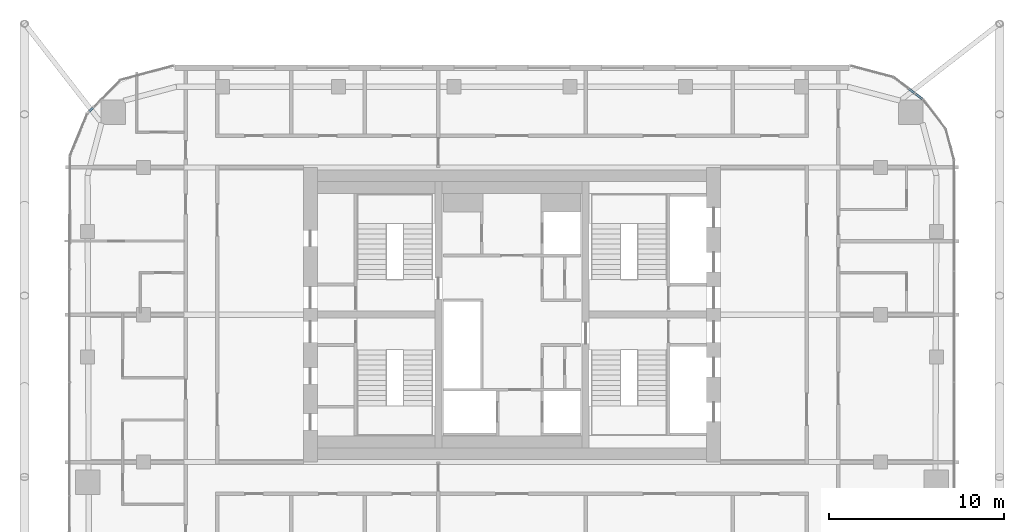
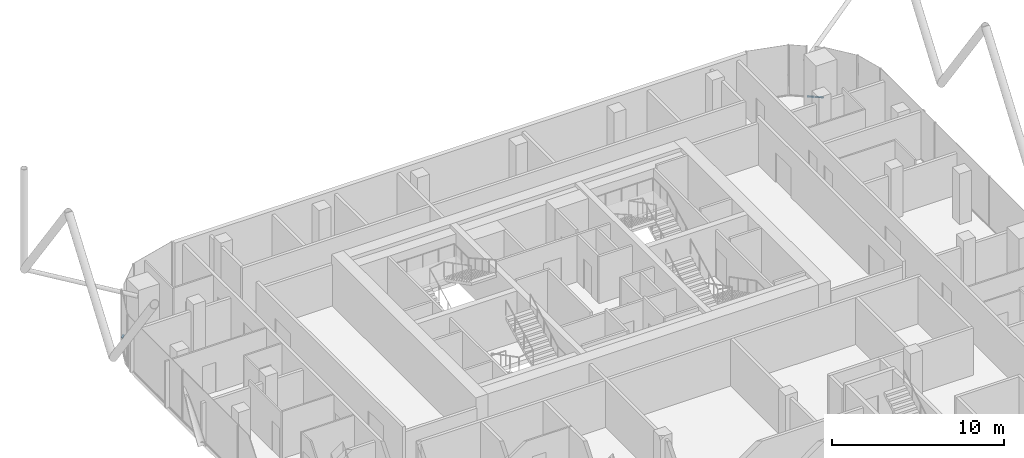
# One storey, part 13 of 28: 3 members, 3 elements without a shape of their own.
"""IFC4 building model written with IfcOpenShell, lengths in metres."""

from ifc_helpers import new_model, si_unit, direction, frame, origin, origin_2d, place, context, subcontext, project, spatial, rectangle, extrude, material, layer, layer_set, material_profile, profile_set, type_object, element, aggregate, save


model = new_model("IFC4")

# Units and contexts
model_context = context("Model", 3, precision=1e-05, world=origin(), true_north=direction((0.0, 1.0)))
body_context = subcontext(model_context, "Body", "Model", "MODEL_VIEW")
ifc_project = project(units=[si_unit("LENGTHUNIT", "METRE"), si_unit("AREAUNIT", "SQUARE_METRE"), si_unit("VOLUMEUNIT", "CUBIC_METRE"), si_unit("PLANEANGLEUNIT", "RADIAN"), si_unit("MASSUNIT", "GRAM", prefix="KILO")], contexts=[model_context])

# Site, building, storey
site_placement = place(None, origin())
site = spatial("IfcSite", under=ifc_project, at=site_placement, CompositionType="ELEMENT")
building_placement = place(site_placement, origin())
building = spatial("IfcBuilding", under=site, at=building_placement, Name="Marenta Gate Hotel Tower", CompositionType="ELEMENT")
storey_placement = place(building_placement, frame((0.0, 0.0, 198.5)))
storey = spatial("IfcBuildingStorey", under=building, at=storey_placement, Name="L45", CompositionType="ELEMENT", Elevation=198.5)

# Curtain wall, member
ifc_material_1 = material(Name="Tinted insulated glass in bronze anodised frame", Category="glass")
ifc_layer = layer(ifc_material_1, 0.1201171875)
ifc_layer_set = layer_set([ifc_layer], Name="Tinted insulated glass in bronze anodised frame")
curtain_wall_type = type_object("IfcCurtainWallType", Name="Tower unitised curtain wall CW1", PredefinedType="NOTDEFINED", material=ifc_layer_set)
curtain_wall_1_placement = place(storey_placement, origin())
curtain_wall_1 = element("IfcCurtainWall", 1, at=curtain_wall_1_placement, inside=storey, type_object=curtain_wall_type, Name="CW1 run G02", PredefinedType="NOTDEFINED")
ifc_material_2 = material(Name="Bronze anodised aluminium", Category="aluminium")
ifc_material_profile = material_profile(ifc_material_2, rectangle(XDim=0.1201171875, YDim=0.06005859375, at=origin_2d()), Name="Transom CW1 60x120 bronze anodised aluminium")
ifc_profile_set = profile_set([ifc_material_profile], Name="Bronze anodised aluminium")
member_type = type_object("IfcMemberType", Name="Transom CW1 60x120 bronze anodised aluminium", PredefinedType="USERDEFINED", material=ifc_profile_set)
member_1_placement = place(storey_placement, frame((-23.884521484375, 20.220458984375, 0.030029296875), z_axis=(-0.707106781187, -0.707106781187, 0.0), x_axis=(0.707106781187, -0.707106781187, 0.0)))
member_1 = element("IfcMember", 2, at=member_1_placement, type_object=member_type, Name="CW1 transom 1.1", ObjectType="TRANSOM", PredefinedType="USERDEFINED", context=body_context, shape_type="SweptSolid", body=[
    extrude(rectangle(XDim=0.1201171875, YDim=0.06005859375, at=origin_2d()), origin(), (0.0, 0.0, 1.0), 0.336669921875),
])
aggregate(curtain_wall_1, [member_1])

curtain_wall_2_placement = place(storey_placement, origin())
curtain_wall_2 = element("IfcCurtainWall", 3, at=curtain_wall_2_placement, inside=storey, type_object=curtain_wall_type, Name="CW1 run G22", PredefinedType="NOTDEFINED")
member_2_placement = place(storey_placement, frame((23.405029296875, 20.689208984375, 0.030029296875), z_axis=(-0.793396206785, 0.608705560233, 0.0), x_axis=(-0.608705560233, -0.793396206785, 0.0)))
member_2 = element("IfcMember", 4, at=member_2_placement, type_object=member_type, Name="CW1 transom 1.1", ObjectType="TRANSOM", PredefinedType="USERDEFINED", context=body_context, shape_type="SweptSolid", body=[
    extrude(rectangle(XDim=0.1201171875, YDim=0.06005859375, at=origin_2d()), origin(), (0.0, 0.0, 1.0), 0.5048828125),
])
aggregate(curtain_wall_2, [member_2])

curtain_wall_3_placement = place(storey_placement, origin())
curtain_wall_3 = element("IfcCurtainWall", 5, at=curtain_wall_3_placement, inside=storey, type_object=curtain_wall_type, Name="CW1 run G23", PredefinedType="NOTDEFINED")
member_3_placement = place(storey_placement, frame((22.956787109375, 21.033203125, 0.030029296875), z_axis=(-0.793423480353, 0.608670009796, 0.0), x_axis=(-0.608670009796, -0.793423480353, 0.0)))
member_3 = element("IfcMember", 6, at=member_3_placement, type_object=member_type, Name="CW1 transom 1.1", ObjectType="TRANSOM", PredefinedType="USERDEFINED", context=body_context, shape_type="SweptSolid", body=[
    extrude(rectangle(XDim=0.1201171875, YDim=0.06005859375, at=origin_2d()), origin(), (0.0, 0.0, 1.0), 0.408203125),
])
aggregate(curtain_wall_3, [member_3])

save(model, "model.ifc")
